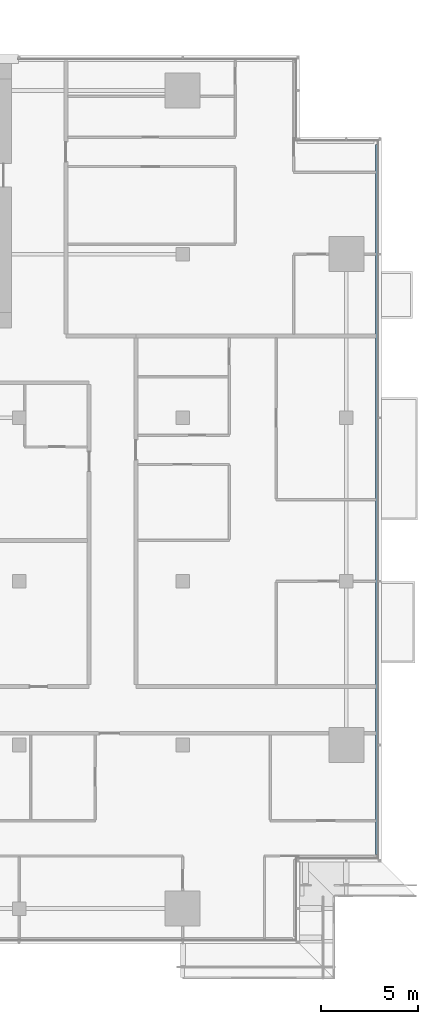
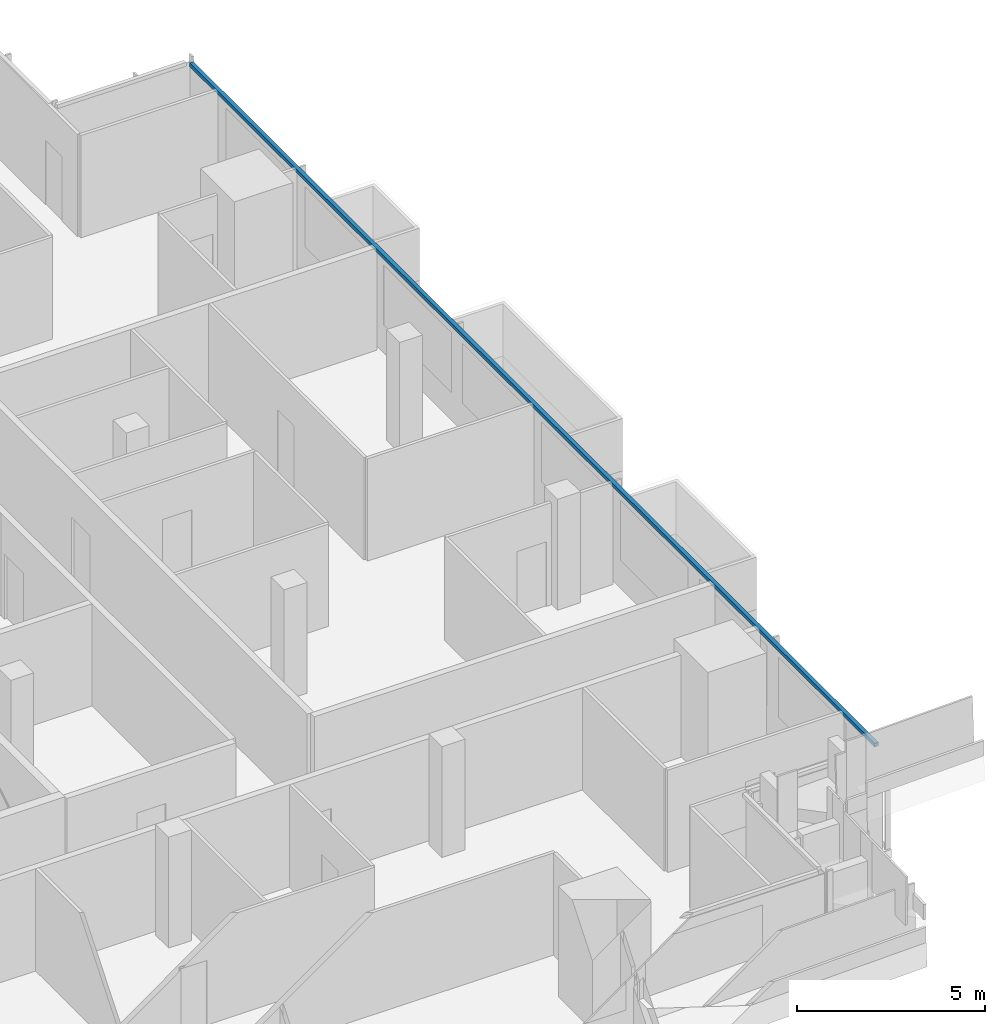
# One storey, part 12 of 30: 1 member, 1 element without a shape of its own.
"""IFC4 building model written with IfcOpenShell, lengths in metres."""

import ifcopenshell
import ifcopenshell.guid

model = None  # the IFC model being written
_history = None  # IfcOwnerHistory: only IFC2X3 demands one
_inside = {}  # id of a spatial element -> (the spatial element, [elements in it])
_under = {}  # id of a project, library or spatial element -> (it, [spatial elements below it])
_declared = {}  # id of a project -> (the project, [libraries it declares])
_typed = {}  # id of a type object -> (the type object, [elements of that type])
_made_of = {}  # id of a material, layer set ... -> (it, [elements and type objects made of it])


def new_model(schema):
    """Start an empty IFC model of exactly this schema.

    Asked for "IFC4X3", IfcOpenShell would pick the latest addendum, in which some entities
    have other attributes; the version numbers below select the first issue.
    IFC2X3 requires an IfcOwnerHistory on every rooted entity: one is made here for all.
    """
    global model, _history
    if schema == "IFC4X3":
        model = ifcopenshell.file(schema_version=(4, 3, 0, 0))
    else:
        model = ifcopenshell.file(schema=schema)
    _inside.clear()
    _under.clear()
    _declared.clear()
    _typed.clear()
    _made_of.clear()
    _history = None
    if model.schema == "IFC2X3":
        org = make("IfcOrganization", Name="unknown")
        user = make(
            "IfcPersonAndOrganization",
            ThePerson=make("IfcPerson", FamilyName="unknown"),
            TheOrganization=org,
        )
        app = make(
            "IfcApplication",
            ApplicationDeveloper=org,
            Version="unknown",
            ApplicationFullName="unknown",
            ApplicationIdentifier="unknown",
        )
        _history = make(
            "IfcOwnerHistory",
            OwningUser=user,
            OwningApplication=app,
            ChangeAction="ADDED",
            CreationDate=0,
        )
    return model


def make(cls, **values):
    """One entity of the class cls with the attributes given. An attribute that is None is left unset."""
    return model.create_entity(
        cls, **{name: value for name, value in values.items() if value is not None}
    )


def rooted(cls, **values):
    """An entity with a GlobalId (a new one), such as an element, a storey or a relation."""
    return make(cls, GlobalId=ifcopenshell.guid.new(), OwnerHistory=_history, **values)


def si_unit(unit_type, name, prefix=None):
    """IfcSIUnit, for example si_unit("LENGTHUNIT", "METRE", prefix="MILLI")."""
    return make("IfcSIUnit", UnitType=unit_type, Prefix=prefix, Name=name)


def assignment(units):
    """IfcUnitAssignment: the units of a project."""
    return None if units is None else make("IfcUnitAssignment", Units=units)


def point(xyz):
    """IfcCartesianPoint."""
    return None if xyz is None else make("IfcCartesianPoint", Coordinates=xyz)


def direction(xyz):
    """IfcDirection."""
    return None if xyz is None else make("IfcDirection", DirectionRatios=xyz)


def frame(location, z_axis=None, x_axis=None):
    """IfcAxis2Placement3D, a coordinate frame: its origin and axes. An axis left out is left unset."""
    return make(
        "IfcAxis2Placement3D",
        Location=point(location),
        Axis=direction(z_axis),
        RefDirection=direction(x_axis),
    )


def frame_2d(location, x_axis=None):
    """IfcAxis2Placement2D, a coordinate frame in the plane: its origin and x axis."""
    return make(
        "IfcAxis2Placement2D", Location=point(location), RefDirection=direction(x_axis)
    )


def origin():
    """The frame at (0, 0, 0) with its axes left unset."""
    return frame((0.0, 0.0, 0.0))


def origin_2d():
    """The frame at (0, 0) in the plane with its x axis left unset."""
    return frame_2d((0.0, 0.0))


def place(relative_to, where):
    """IfcLocalPlacement: puts the frame where relative to a parent placement (None: the world)."""
    return make(
        "IfcLocalPlacement", PlacementRelTo=relative_to, RelativePlacement=where
    )


def context(
    kind, dimensions, precision=None, world=None, true_north=None, identifier=None
):
    """IfcGeometricRepresentationContext, for example the 3D "Model" context."""
    return make(
        "IfcGeometricRepresentationContext",
        ContextIdentifier=identifier,
        ContextType=kind,
        CoordinateSpaceDimension=dimensions,
        Precision=precision,
        WorldCoordinateSystem=world,
        TrueNorth=true_north,
    )


def subcontext(parent, identifier, kind, view, scale=None):
    """IfcGeometricRepresentationSubContext, for example "Body" below "Model"."""
    return make(
        "IfcGeometricRepresentationSubContext",
        ContextIdentifier=identifier,
        ContextType=kind,
        ParentContext=parent,
        TargetScale=scale,
        TargetView=view,
    )


def project(units=None, contexts=None):
    """IfcProject with its units and contexts."""
    return rooted(
        "IfcProject",
        Name="project",
        RepresentationContexts=contexts,
        UnitsInContext=assignment(units),
    )


def spatial(cls, under=None, at=None, **own):
    """A site, building, storey or space (cls), placed at a placement, below another one or the project."""
    s = rooted(cls, ObjectPlacement=at, **own)
    if under is not None:
        _under.setdefault(under.id(), (under, []))[1].append(s)
    return s


def profile(cls, at=None, kind="AREA", **sizes):
    """A parametric profile (cls). Its sizes go by their IFC names, for example OverallWidth=200.0."""
    return make(cls, ProfileType=kind, Position=at, **sizes)


def rectangle(**sizes):
    """IfcRectangleProfileDef."""
    return profile("IfcRectangleProfileDef", **sizes)


def extrude(swept, where, along, depth):
    """IfcExtrudedAreaSolid: the profile swept, set in the frame where, extruded along a direction by depth."""
    return make(
        "IfcExtrudedAreaSolid",
        SweptArea=swept,
        Position=where,
        ExtrudedDirection=direction(along),
        Depth=depth,
    )


def shape(context_of_items, identifier, shape_type, items):
    """IfcShapeRepresentation: the items that make up one representation, for example the "Body"."""
    return make(
        "IfcShapeRepresentation",
        ContextOfItems=context_of_items,
        RepresentationIdentifier=identifier,
        RepresentationType=shape_type,
        Items=items,
    )


def material(Name=None, Category=None):
    """IfcMaterial."""
    return make("IfcMaterial", Name=Name, Category=Category)


def material_profile(
    of_material, cross_section, Name=None, Category=None, Priority=None
):
    """IfcMaterialProfile: a cross section and its material."""
    return make(
        "IfcMaterialProfile",
        Name=Name,
        Material=of_material,
        Profile=cross_section,
        Priority=Priority,
        Category=Category,
    )


def profile_set(profiles, Name=None, composite=None):
    """IfcMaterialProfileSet."""
    return make(
        "IfcMaterialProfileSet",
        Name=Name,
        MaterialProfiles=profiles,
        CompositeProfile=composite,
    )


def made_of(thing, what):
    """Note that an element or type object is made of a material, layer set ...; save() writes the relation."""
    if what is not None:
        _made_of.setdefault(what.id(), (what, []))[1].append(thing)
    return thing


def type_object(cls, material=None, **own):
    """A type object (cls), such as IfcWallType, which elements share."""
    return made_of(rooted(cls, **own), material)


def element(
    cls,
    number,
    at=None,
    inside=None,
    cuts=None,
    type_object=None,
    material=None,
    context=None,
    identifier="Body",
    shape_type=None,
    held_by="IfcProductDefinitionShape",
    body=None,
    shapes=None,
    **own,
):
    """One element of the class cls, such as IfcWall. Its Tag is "e" and its number.

    at: its placement. inside: the storey or other place that contains it. cuts: it is an
    opening in that element (IfcRelVoidsElement). A single representation is given by context,
    identifier, shape_type and body (its items); several are given by shapes. held_by: the class
    of the entity that holds the representations. save() writes the other relations.
    """
    e = rooted(cls, Tag="e%d" % number, ObjectPlacement=at, **own)
    if body is not None:
        shapes = [shape(context, identifier, shape_type, body)]
    if shapes is not None:
        e.Representation = make(held_by, Representations=shapes)
    if inside is not None:
        _inside.setdefault(inside.id(), (inside, []))[1].append(e)
    if cuts is not None:
        rooted(
            "IfcRelVoidsElement", RelatingBuildingElement=cuts, RelatedOpeningElement=e
        )
    if type_object is not None:
        _typed.setdefault(type_object.id(), (type_object, []))[1].append(e)
    return made_of(e, material)


def aggregate(whole, parts):
    """IfcRelAggregates: a whole, such as a stair, and the parts it consists of."""
    return rooted("IfcRelAggregates", RelatingObject=whole, RelatedObjects=parts)


def save(model, path):
    """Write the relations noted so far, then the file.

    IfcRelAggregates (storeys below a building ...), IfcRelContainedInSpatialStructure (elements
    in a storey), IfcRelDefinesByType, IfcRelAssociatesMaterial and IfcRelDeclares: one each for
    every whole, place, type object, material and project.
    """
    for whole, parts in _under.values():
        aggregate(whole, parts)
    for where, things in _inside.values():
        rooted(
            "IfcRelContainedInSpatialStructure",
            RelatedElements=things,
            RelatingStructure=where,
        )
    for kind, things in _typed.values():
        rooted("IfcRelDefinesByType", RelatedObjects=things, RelatingType=kind)
    for what, things in _made_of.values():
        rooted("IfcRelAssociatesMaterial", RelatedObjects=things, RelatingMaterial=what)
    for by, libraries in _declared.values():
        rooted("IfcRelDeclares", RelatingContext=by, RelatedDefinitions=libraries)
    model.write(path)


model = new_model("IFC4")

# Units and contexts
model_context = context("Model", 3, precision=1e-05, world=origin(), true_north=direction((0.0, 1.0)))
body_context = subcontext(model_context, "Body", "Model", "MODEL_VIEW")
ifc_project = project(units=[si_unit("LENGTHUNIT", "METRE"), si_unit("AREAUNIT", "SQUARE_METRE"), si_unit("VOLUMEUNIT", "CUBIC_METRE"), si_unit("PLANEANGLEUNIT", "RADIAN"), si_unit("MASSUNIT", "GRAM", prefix="KILO")], contexts=[model_context])

# Site, building, storey
site_placement = place(None, origin())
site = spatial("IfcSite", under=ifc_project, at=site_placement, CompositionType="ELEMENT")
building_placement = place(site_placement, origin())
building = spatial("IfcBuilding", under=site, at=building_placement, Name="Saffron Gate Tower", CompositionType="ELEMENT")
storey_placement = place(building_placement, frame((0.0, 0.0, 158.25)))
storey = spatial("IfcBuildingStorey", under=building, at=storey_placement, Name="L38", CompositionType="ELEMENT", Elevation=158.25)

# Curtain wall, member
ifc_material = material(Name="Aluminium, bronze anodised", Category="aluminium")
curtain_wall_type = type_object("IfcCurtainWallType", Name="CWS2 curtain wall side facades", PredefinedType="NOTDEFINED", material=ifc_material)
curtain_wall_placement = place(storey_placement, origin())
curtain_wall = element("IfcCurtainWall", 1, at=curtain_wall_placement, inside=storey, type_object=curtain_wall_type, Name="CWS2 run 4", PredefinedType="NOTDEFINED")
ifc_material_profile = material_profile(ifc_material, rectangle(XDim=0.1201171875, YDim=0.1201171875, at=origin_2d()))
ifc_profile_set = profile_set([ifc_material_profile], Name="Aluminium, bronze anodised")
member_type = type_object("IfcMemberType", Name="CWS2 head transom", PredefinedType="USERDEFINED", material=ifc_profile_set)
member_placement = place(storey_placement, frame((126.951904296875, 34.568115234375, 3.260009765625), z_axis=(0.0, 1.0, 0.0), x_axis=(-1.0, 0.0, 0.0)))
member = element("IfcMember", 2, at=member_placement, type_object=member_type, Name="CWS2 head transom", ObjectType="TRANSOM", PredefinedType="USERDEFINED", context=body_context, shape_type="SweptSolid", body=[
    extrude(rectangle(XDim=0.1201171875, YDim=0.1201171875, at=origin_2d()), origin(), (0.0, 0.0, 1.0), 36.4638671875),
])
aggregate(curtain_wall, [member])

save(model, "model.ifc")
